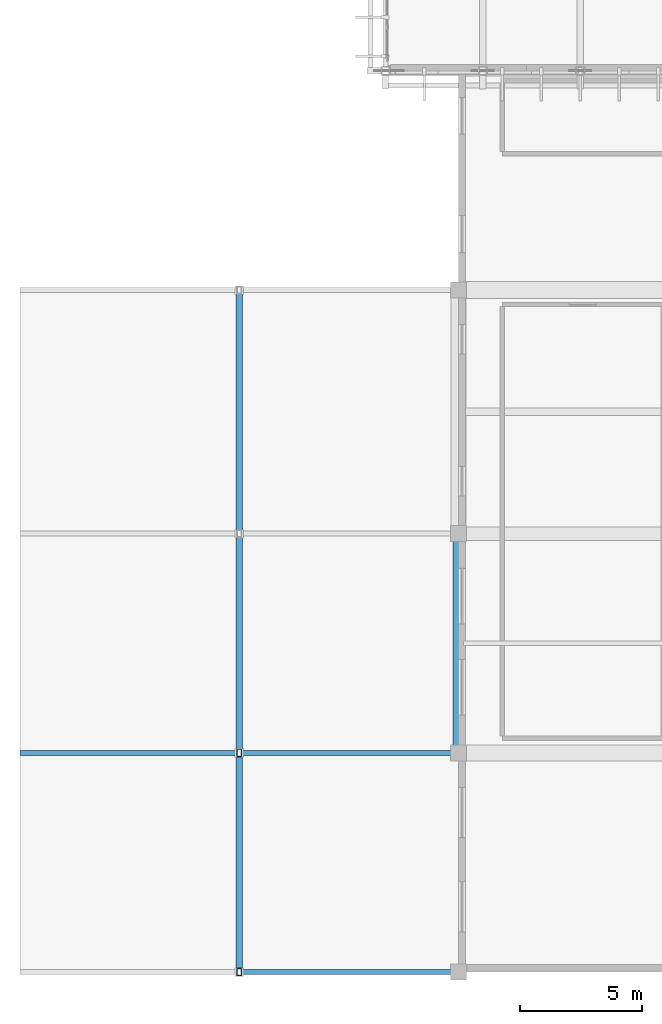
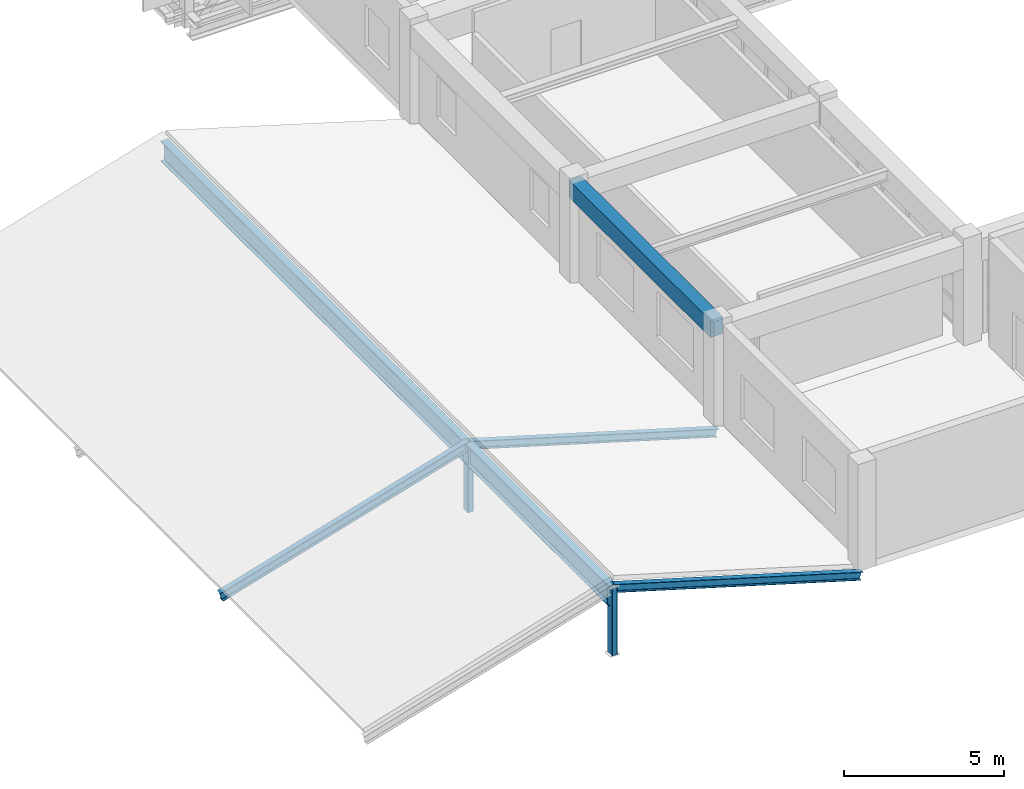
# One storey, part 15 of 130: 5 members, 2 beams.
"""IFC4 building model written with IfcOpenShell, lengths in metres."""

import ifcopenshell
import ifcopenshell.guid

model = None  # the IFC model being written
_history = None  # IfcOwnerHistory: only IFC2X3 demands one
_inside = {}  # id of a spatial element -> (the spatial element, [elements in it])
_under = {}  # id of a project, library or spatial element -> (it, [spatial elements below it])
_declared = {}  # id of a project -> (the project, [libraries it declares])
_typed = {}  # id of a type object -> (the type object, [elements of that type])
_made_of = {}  # id of a material, layer set ... -> (it, [elements and type objects made of it])


def new_model(schema):
    """Start an empty IFC model of exactly this schema.

    Asked for "IFC4X3", IfcOpenShell would pick the latest addendum, in which some entities
    have other attributes; the version numbers below select the first issue.
    IFC2X3 requires an IfcOwnerHistory on every rooted entity: one is made here for all.
    """
    global model, _history
    if schema == "IFC4X3":
        model = ifcopenshell.file(schema_version=(4, 3, 0, 0))
    else:
        model = ifcopenshell.file(schema=schema)
    _inside.clear()
    _under.clear()
    _declared.clear()
    _typed.clear()
    _made_of.clear()
    _history = None
    if model.schema == "IFC2X3":
        org = make("IfcOrganization", Name="unknown")
        user = make(
            "IfcPersonAndOrganization",
            ThePerson=make("IfcPerson", FamilyName="unknown"),
            TheOrganization=org,
        )
        app = make(
            "IfcApplication",
            ApplicationDeveloper=org,
            Version="unknown",
            ApplicationFullName="unknown",
            ApplicationIdentifier="unknown",
        )
        _history = make(
            "IfcOwnerHistory",
            OwningUser=user,
            OwningApplication=app,
            ChangeAction="ADDED",
            CreationDate=0,
        )
    return model


def make(cls, **values):
    """One entity of the class cls with the attributes given. An attribute that is None is left unset."""
    return model.create_entity(
        cls, **{name: value for name, value in values.items() if value is not None}
    )


def rooted(cls, **values):
    """An entity with a GlobalId (a new one), such as an element, a storey or a relation."""
    return make(cls, GlobalId=ifcopenshell.guid.new(), OwnerHistory=_history, **values)


def si_unit(unit_type, name, prefix=None):
    """IfcSIUnit, for example si_unit("LENGTHUNIT", "METRE", prefix="MILLI")."""
    return make("IfcSIUnit", UnitType=unit_type, Prefix=prefix, Name=name)


def assignment(units):
    """IfcUnitAssignment: the units of a project."""
    return None if units is None else make("IfcUnitAssignment", Units=units)


def point(xyz):
    """IfcCartesianPoint."""
    return None if xyz is None else make("IfcCartesianPoint", Coordinates=xyz)


def direction(xyz):
    """IfcDirection."""
    return None if xyz is None else make("IfcDirection", DirectionRatios=xyz)


def frame(location, z_axis=None, x_axis=None):
    """IfcAxis2Placement3D, a coordinate frame: its origin and axes. An axis left out is left unset."""
    return make(
        "IfcAxis2Placement3D",
        Location=point(location),
        Axis=direction(z_axis),
        RefDirection=direction(x_axis),
    )


def frame_2d(location, x_axis=None):
    """IfcAxis2Placement2D, a coordinate frame in the plane: its origin and x axis."""
    return make(
        "IfcAxis2Placement2D", Location=point(location), RefDirection=direction(x_axis)
    )


def origin():
    """The frame at (0, 0, 0) with its axes left unset."""
    return frame((0.0, 0.0, 0.0))


def origin_2d():
    """The frame at (0, 0) in the plane with its x axis left unset."""
    return frame_2d((0.0, 0.0))


def place(relative_to, where):
    """IfcLocalPlacement: puts the frame where relative to a parent placement (None: the world)."""
    return make(
        "IfcLocalPlacement", PlacementRelTo=relative_to, RelativePlacement=where
    )


def context(
    kind, dimensions, precision=None, world=None, true_north=None, identifier=None
):
    """IfcGeometricRepresentationContext, for example the 3D "Model" context."""
    return make(
        "IfcGeometricRepresentationContext",
        ContextIdentifier=identifier,
        ContextType=kind,
        CoordinateSpaceDimension=dimensions,
        Precision=precision,
        WorldCoordinateSystem=world,
        TrueNorth=true_north,
    )


def subcontext(parent, identifier, kind, view, scale=None):
    """IfcGeometricRepresentationSubContext, for example "Body" below "Model"."""
    return make(
        "IfcGeometricRepresentationSubContext",
        ContextIdentifier=identifier,
        ContextType=kind,
        ParentContext=parent,
        TargetScale=scale,
        TargetView=view,
    )


def project(units=None, contexts=None):
    """IfcProject with its units and contexts."""
    return rooted(
        "IfcProject",
        Name="project",
        RepresentationContexts=contexts,
        UnitsInContext=assignment(units),
    )


def spatial(cls, under=None, at=None, **own):
    """A site, building, storey or space (cls), placed at a placement, below another one or the project."""
    s = rooted(cls, ObjectPlacement=at, **own)
    if under is not None:
        _under.setdefault(under.id(), (under, []))[1].append(s)
    return s


def profile(cls, at=None, kind="AREA", **sizes):
    """A parametric profile (cls). Its sizes go by their IFC names, for example OverallWidth=200.0."""
    return make(cls, ProfileType=kind, Position=at, **sizes)


def rectangle(**sizes):
    """IfcRectangleProfileDef."""
    return profile("IfcRectangleProfileDef", **sizes)


def hollow_rectangle(**sizes):
    """IfcRectangleHollowProfileDef."""
    return profile("IfcRectangleHollowProfileDef", **sizes)


def i_section(**sizes):
    """IfcIShapeProfileDef."""
    return profile("IfcIShapeProfileDef", **sizes)


def extrude(swept, where, along, depth):
    """IfcExtrudedAreaSolid: the profile swept, set in the frame where, extruded along a direction by depth."""
    return make(
        "IfcExtrudedAreaSolid",
        SweptArea=swept,
        Position=where,
        ExtrudedDirection=direction(along),
        Depth=depth,
    )


def shape(context_of_items, identifier, shape_type, items):
    """IfcShapeRepresentation: the items that make up one representation, for example the "Body"."""
    return make(
        "IfcShapeRepresentation",
        ContextOfItems=context_of_items,
        RepresentationIdentifier=identifier,
        RepresentationType=shape_type,
        Items=items,
    )


def material(Name=None, Category=None):
    """IfcMaterial."""
    return make("IfcMaterial", Name=Name, Category=Category)


def material_profile(
    of_material, cross_section, Name=None, Category=None, Priority=None
):
    """IfcMaterialProfile: a cross section and its material."""
    return make(
        "IfcMaterialProfile",
        Name=Name,
        Material=of_material,
        Profile=cross_section,
        Priority=Priority,
        Category=Category,
    )


def profile_set(profiles, Name=None, composite=None):
    """IfcMaterialProfileSet."""
    return make(
        "IfcMaterialProfileSet",
        Name=Name,
        MaterialProfiles=profiles,
        CompositeProfile=composite,
    )


def made_of(thing, what):
    """Note that an element or type object is made of a material, layer set ...; save() writes the relation."""
    if what is not None:
        _made_of.setdefault(what.id(), (what, []))[1].append(thing)
    return thing


def type_object(cls, material=None, **own):
    """A type object (cls), such as IfcWallType, which elements share."""
    return made_of(rooted(cls, **own), material)


def element(
    cls,
    number,
    at=None,
    inside=None,
    cuts=None,
    type_object=None,
    material=None,
    context=None,
    identifier="Body",
    shape_type=None,
    held_by="IfcProductDefinitionShape",
    body=None,
    shapes=None,
    **own,
):
    """One element of the class cls, such as IfcWall. Its Tag is "e" and its number.

    at: its placement. inside: the storey or other place that contains it. cuts: it is an
    opening in that element (IfcRelVoidsElement). A single representation is given by context,
    identifier, shape_type and body (its items); several are given by shapes. held_by: the class
    of the entity that holds the representations. save() writes the other relations.
    """
    e = rooted(cls, Tag="e%d" % number, ObjectPlacement=at, **own)
    if body is not None:
        shapes = [shape(context, identifier, shape_type, body)]
    if shapes is not None:
        e.Representation = make(held_by, Representations=shapes)
    if inside is not None:
        _inside.setdefault(inside.id(), (inside, []))[1].append(e)
    if cuts is not None:
        rooted(
            "IfcRelVoidsElement", RelatingBuildingElement=cuts, RelatedOpeningElement=e
        )
    if type_object is not None:
        _typed.setdefault(type_object.id(), (type_object, []))[1].append(e)
    return made_of(e, material)


def aggregate(whole, parts):
    """IfcRelAggregates: a whole, such as a stair, and the parts it consists of."""
    return rooted("IfcRelAggregates", RelatingObject=whole, RelatedObjects=parts)


def save(model, path):
    """Write the relations noted so far, then the file.

    IfcRelAggregates (storeys below a building ...), IfcRelContainedInSpatialStructure (elements
    in a storey), IfcRelDefinesByType, IfcRelAssociatesMaterial and IfcRelDeclares: one each for
    every whole, place, type object, material and project.
    """
    for whole, parts in _under.values():
        aggregate(whole, parts)
    for where, things in _inside.values():
        rooted(
            "IfcRelContainedInSpatialStructure",
            RelatedElements=things,
            RelatingStructure=where,
        )
    for kind, things in _typed.values():
        rooted("IfcRelDefinesByType", RelatedObjects=things, RelatingType=kind)
    for what, things in _made_of.values():
        rooted("IfcRelAssociatesMaterial", RelatedObjects=things, RelatingMaterial=what)
    for by, libraries in _declared.values():
        rooted("IfcRelDeclares", RelatingContext=by, RelatedDefinitions=libraries)
    model.write(path)


model = new_model("IFC4")

# Units and contexts
model_context = context("Model", 3, precision=1e-05, world=origin(), true_north=direction((0.0, 1.0)))
body_context = subcontext(model_context, "Body", "Model", "MODEL_VIEW")
ifc_project = project(units=[si_unit("LENGTHUNIT", "METRE"), si_unit("AREAUNIT", "SQUARE_METRE"), si_unit("VOLUMEUNIT", "CUBIC_METRE"), si_unit("PLANEANGLEUNIT", "RADIAN"), si_unit("MASSUNIT", "GRAM", prefix="KILO")], contexts=[model_context])

# Site, building, storey
site_placement = place(None, origin())
site = spatial("IfcSite", under=ifc_project, at=site_placement, CompositionType="ELEMENT")
building_placement = place(site_placement, origin())
building = spatial("IfcBuilding", under=site, at=building_placement, Name="Miravela Opera House", CompositionType="ELEMENT")
storey_placement = place(building_placement, frame((0.0, 0.0, 9.52001953125)))
storey = spatial("IfcBuildingStorey", under=building, at=storey_placement, Name="L02", CompositionType="ELEMENT", Elevation=9.52001953125)

# Beams
ifc_material_1 = material(Name="Concrete C35/45", Category="concrete")
ifc_material_profile_1 = material_profile(ifc_material_1, rectangle(XDim=0.449951171875, YDim=0.64990234375, at=origin_2d()), Name="RC-BM-450X650")
ifc_profile_set_1 = profile_set([ifc_material_profile_1])
beam_type_1 = type_object("IfcBeamType", Name="STR-BM-RC450X650", PredefinedType="BEAM", material=ifc_profile_set_1)
beam_1_placement = place(storey_placement, frame((18.0, 9.080078125, 3.514892578125), z_axis=(0.0, 1.0, 0.0), x_axis=(-1.0, 0.0, 0.0)))
element("IfcBeam", 1, at=beam_1_placement, inside=storey, type_object=beam_type_1, Name="Floor Girder L02 3/B-C", PredefinedType="BEAM", context=body_context, shape_type="SweptSolid", body=[
    extrude(rectangle(XDim=0.449951171875, YDim=0.64990234375, at=origin_2d()), origin(), (0.0, 0.0, 1.0), 8.83984375),
])
ifc_material_2 = material(Name="Structural steel ASTM A992 Gr. 50", Category="steel")
ifc_material_profile_2 = material_profile(ifc_material_2, i_section(OverallWidth=0.26806640625, OverallDepth=0.77001953125, WebThickness=0.015625, FlangeThickness=0.025390625, FilletRadius=0.02001953125, at=origin_2d()), Name="W760X196")
ifc_profile_set_2 = profile_set([ifc_material_profile_2])
beam_type_2 = type_object("IfcBeamType", Name="STR-BM-W760X196", PredefinedType="BEAM", material=ifc_profile_set_2)
beam_2_placement = place(storey_placement, frame((9.0, 0.0, 1.955078125), z_axis=(0.0, 1.0, 0.0), x_axis=(-1.0, 0.0, 0.0)))
element("IfcBeam", 2, at=beam_2_placement, inside=storey, type_object=beam_type_2, Name="Clay Tile Roof Ridge Beam ROOF-V5-SOUTH", PredefinedType="BEAM", context=body_context, shape_type="SweptSolid", body=[
    extrude(i_section(OverallWidth=0.26806640625, OverallDepth=0.77001953125, WebThickness=0.015625, FlangeThickness=0.025390625, FilletRadius=0.02001953125, at=origin_2d()), origin(), (0.0, 0.0, 1.0), 28.0),
])

# Members
ifc_material_3 = material(Name="Hollow structural steel ASTM A500 Gr. C", Category="steel")
ifc_material_profile_3 = material_profile(ifc_material_3, hollow_rectangle(XDim=0.199951171875, YDim=0.300048828125, WallThickness=0.011962890625, InnerFilletRadius=0.011962890625, OuterFilletRadius=0.02392578125, at=origin_2d()), Name="HSS300X200X12")
ifc_profile_set_3 = profile_set([ifc_material_profile_3])
member_type_1 = type_object("IfcMemberType", Name="STR-MEM-POST-HSS300X200", PredefinedType="POST", material=ifc_profile_set_3)
for number, where, z_axis, x_axis, name in (
    (3, (9.0, 0.0, -0.25), (0.0, 0.0, 1.0), (1.0, 0.0, 0.0), "Roof Gable King Post ROOF-V5-SOUTH S"),
    (4, (9.0, 9.0, -0.25), (0.0, 0.0, 1.0), (1.0, 0.0, 0.0), "Roof Ridge Support Post ROOF-V5-SOUTH M1"),
):
    element("IfcMember", number, at=place(storey_placement, frame(where, z_axis=z_axis, x_axis=x_axis)), inside=storey, type_object=member_type_1, Name=name, PredefinedType="POST", context=body_context, shape_type="SweptSolid", body=[
        extrude(hollow_rectangle(XDim=0.199951171875, YDim=0.300048828125, WallThickness=0.011962890625, InnerFilletRadius=0.011962890625, OuterFilletRadius=0.02392578125, at=origin_2d()), origin(), (0.0, 0.0, 1.0), 2.570068359375),
    ])
ifc_material_profile_4 = material_profile(ifc_material_2, i_section(OverallWidth=0.2041015625, OverallDepth=0.35009765625, WebThickness=0.008544921875, FlangeThickness=0.01513671875, FilletRadius=0.013916015625, at=origin_2d()), Name="W360X72")
ifc_profile_set_4 = profile_set([ifc_material_profile_4])
member_type_2 = type_object("IfcMemberType", Name="STR-MEM-RAFTER-1", PredefinedType="RAFTER", material=ifc_profile_set_4)
member_placement = place(storey_placement, frame((0.050048828125, 9.0, -0.39990234375), z_axis=(0.958562219619, 0.0, 0.284883258756), x_axis=(0.0, 1.0, 0.0)))
element("IfcMember", 5, at=member_placement, inside=storey, type_object=member_type_2, Name="Pitched Roof Rafter ROOF-V5-SOUTH W1", PredefinedType="RAFTER", context=body_context, shape_type="SweptSolid", body=[
    extrude(i_section(OverallWidth=0.2041015625, OverallDepth=0.35009765625, WebThickness=0.008544921875, FlangeThickness=0.01513671875, FilletRadius=0.013916015625, at=origin_2d()), origin(), (0.0, 0.0, 1.0), 9.3369140625),
])
ifc_material_profile_5 = material_profile(ifc_material_2, i_section(OverallWidth=0.202880859375, OverallDepth=0.302978515625, WebThickness=0.007568359375, FlangeThickness=0.01318359375, FilletRadius=0.012939453125, at=origin_2d()), Name="W310X60")
ifc_profile_set_5 = profile_set([ifc_material_profile_5])
member_type_3 = type_object("IfcMemberType", Name="STR-MEM-RAFTER-2", PredefinedType="RAFTER", material=ifc_profile_set_5)
for number, where, z_axis, x_axis, name in (
    (6, (17.949951171875, 0.0, -0.39990234375), (-0.958562219619, 0.0, 0.284883258756), (0.0, -1.0, 0.0), "Pitched Roof Rafter ROOF-V5-SOUTH E0"),
    (7, (17.949951171875, 9.0, -0.39990234375), (-0.958562219619, 0.0, 0.284883258756), (0.0, -1.0, 0.0), "Pitched Roof Rafter ROOF-V5-SOUTH E1"),
):
    element("IfcMember", number, at=place(storey_placement, frame(where, z_axis=z_axis, x_axis=x_axis)), inside=storey, type_object=member_type_3, Name=name, PredefinedType="RAFTER", context=body_context, shape_type="SweptSolid", body=[
        extrude(i_section(OverallWidth=0.202880859375, OverallDepth=0.302978515625, WebThickness=0.007568359375, FlangeThickness=0.01318359375, FilletRadius=0.012939453125, at=origin_2d()), origin(), (0.0, 0.0, 1.0), 9.3369140625),
    ])

save(model, "model.ifc")
